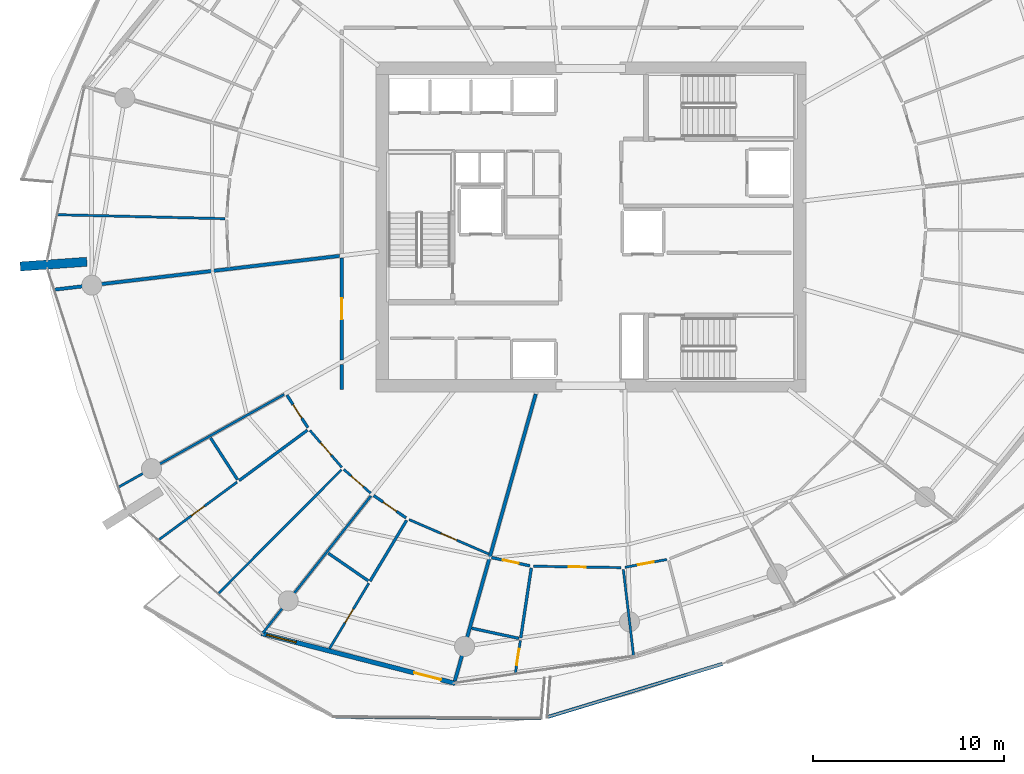
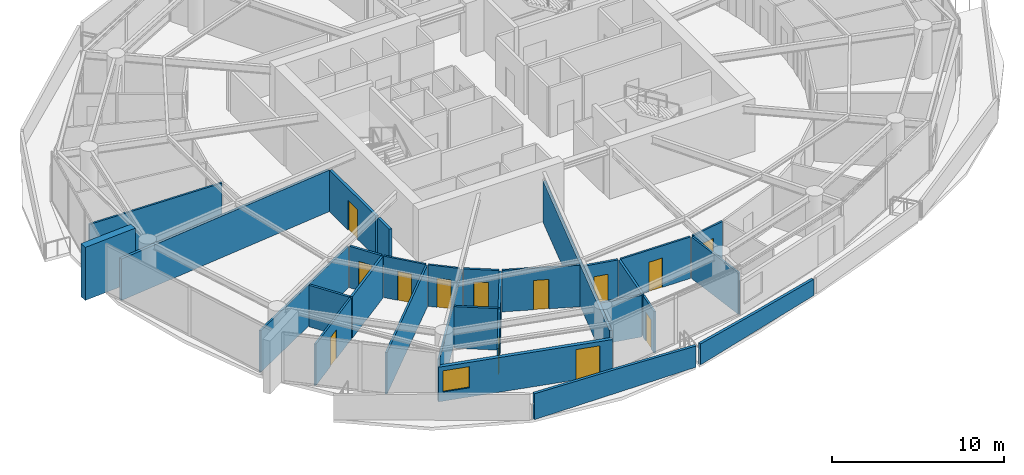
# One storey, part 11 of 21: 30 walls, 13 doors, 1 window, 14 openings.
"""IFC4 building model written with IfcOpenShell, lengths in metres."""

from ifc_helpers import new_model, si_unit, direction, frame, frame_2d, origin, place, context, subcontext, project, spatial, polyline, rectangle, outline, extrude, material, layer, layer_set, type_object, element, fill, save


model = new_model("IFC4")

# Units and contexts
model_context = context("Model", 3, precision=1e-05, world=origin(), true_north=direction((0.0, 1.0)))
body_context = subcontext(model_context, "Body", "Model", "MODEL_VIEW")
ifc_project = project(units=[si_unit("LENGTHUNIT", "METRE"), si_unit("AREAUNIT", "SQUARE_METRE"), si_unit("VOLUMEUNIT", "CUBIC_METRE"), si_unit("PLANEANGLEUNIT", "RADIAN"), si_unit("MASSUNIT", "GRAM", prefix="KILO")], contexts=[model_context])

# Site, building, storey
site_placement = place(None, origin())
site = spatial("IfcSite", under=ifc_project, at=site_placement, CompositionType="ELEMENT")
building_placement = place(site_placement, origin())
building = spatial("IfcBuilding", under=site, at=building_placement, Name="Kazma Halo Residences", CompositionType="ELEMENT")
storey_placement = place(building_placement, frame((0.0, 0.0, 180.300048828125)))
storey = spatial("IfcBuildingStorey", under=building, at=storey_placement, Name="L45", CompositionType="ELEMENT", Elevation=180.300048828125)

# Walls
ifc_material_1 = material(Name="White Concrete C50/60 Balustrade", Category="concrete")
ifc_layer_1 = layer(ifc_material_1, 0.179931640625)
ifc_layer_set_1 = layer_set([ifc_layer_1], Name="White Concrete C50/60 Balustrade")
wall_type_1 = type_object("IfcWallType", Name="WL-BAL-WAVE-180", PredefinedType="PARAPET", material=ifc_layer_set_1)
wall_1_placement = place(storey_placement, frame((35.03564453125, 16.319580078125, 0.0), z_axis=(0.0, 0.0, 1.0), x_axis=(0.999967670182, -0.008041056536, 0.0)))
element("IfcWall", 1, at=wall_1_placement, inside=storey, type_object=wall_type_1, Name="L45 white wave balustrade wall SW.2", PredefinedType="PARAPET", context=body_context, shape_type="SweptSolid", body=[
    extrude(outline(polyline([(0.0, 0.0), (10.7783203125, 0.0), (10.7783203125, 1.4970703125), (5.38916015625, 1.696044921875), (0.0, 1.83203125), (0.0, 0.0)])), frame((0.0, 0.08984375, 0.0), z_axis=(0.0, -1.0, 0.0), x_axis=(1.0, 0.0, 0.0)), (0.0, 0.0, 1.0), 0.179931640625),
])
wall_2_placement = place(storey_placement, frame((46.135009765625, 16.29833984375, 0.0), z_axis=(0.0, 0.0, 1.0), x_axis=(0.956822857871, 0.290671668135, 0.0)))
element("IfcWall", 2, at=wall_2_placement, inside=storey, type_object=wall_type_1, Name="L45 white wave balustrade wall SSE.1", PredefinedType="PARAPET", context=body_context, shape_type="SweptSolid", body=[
    extrude(outline(polyline([(0.0, 0.0), (9.59765625, 0.0), (9.59765625, 1.14794921875), (4.798828125, 1.283935546875), (0.0, 1.48291015625), (0.0, 0.0)])), frame((0.0, 0.08984375, 0.0), z_axis=(0.0, -1.0, 0.0), x_axis=(1.0, 0.0, 0.0)), (0.0, 0.0, 1.0), 0.179931640625),
])
ifc_material_2 = material(Name="Pale Concrete C60/75", Category="concrete")
ifc_layer_2 = layer(ifc_material_2, 0.47998046875)
ifc_layer_set_2 = layer_set([ifc_layer_2], Name="Pale Concrete C60/75")
wall_type_2 = type_object("IfcWallType", Name="WL-BLADE-480", PredefinedType="SOLIDWALL", material=ifc_layer_set_2)
wall_3_placement = place(storey_placement, frame((21.9873046875, 40.180908203125, 0.0), z_axis=(0.0, 0.0, 1.0), x_axis=(-0.997568676264, -0.069690287244, 0.0)))
element("IfcWall", 3, at=wall_3_placement, inside=storey, type_object=wall_type_2, Name="L45 pale concrete structural blade fin wall BW-02", PredefinedType="SOLIDWALL", context=body_context, shape_type="SweptSolid", body=[
    extrude(rectangle(XDim=3.499755859375, YDim=0.47998046875, at=frame_2d((1.75, 0.0))), origin(), (0.0, 0.0, 1.0), 3.75),
])
ifc_material_3 = material(Name="Acoustic Twin-Stud Gypsum")
ifc_layer_3 = layer(ifc_material_3, 0.179931640625)
ifc_layer_set_3 = layer_set([ifc_layer_3], Name="Acoustic Twin-Stud Gypsum")
wall_type_3 = type_object("IfcWallType", Name="WL-DEM-180", PredefinedType="PARTITIONING", material=ifc_layer_set_3)
wall_4_placement = place(storey_placement, frame((35.24072265625, 40.489990234375, 0.0), z_axis=(0.0, 0.0, 1.0), x_axis=(-0.993066731786, -0.117551972417, 0.0)))
element("IfcWall", 4, at=wall_4_placement, inside=storey, type_object=wall_type_3, Name="L45 apartment demising radial wall 07", PredefinedType="PARTITIONING", context=body_context, shape_type="SweptSolid", body=[
    extrude(rectangle(XDim=15.046875, YDim=0.179931640625, at=frame_2d((7.5234375, 0.0))), origin(), (0.0, 0.0, 1.0), 2.93994140625),
])
wall_5_placement = place(storey_placement, frame((45.530517578125, 33.244140625, 0.0), z_axis=(0.0, 0.0, 1.0), x_axis=(-0.271437162306, -0.962456163635, 0.0)))
element("IfcWall", 5, at=wall_5_placement, inside=storey, type_object=wall_type_3, Name="L45 apartment demising radial wall 10", PredefinedType="PARTITIONING", context=body_context, shape_type="SweptSolid", body=[
    extrude(rectangle(XDim=15.629638671875, YDim=0.179931640625, at=frame_2d((7.81494140625, 0.0))), origin(), (0.0, 0.0, 1.0), 2.93994140625),
])

# Wall, opening, door
wall_6_placement = place(storey_placement, frame((35.35009765625, 40.3828125, 0.0), z_axis=(0.0, 0.0, 1.0), x_axis=(0.0, -1.0, 0.0)))
wall_6 = element("IfcWall", 6, at=wall_6_placement, inside=storey, type_object=wall_type_3, Name="L45 Apartment 3 entrance corridor wall", PredefinedType="PARTITIONING", context=body_context, shape_type="SweptSolid", body=[
    extrude(rectangle(XDim=5.34716796875, YDim=0.179931640625, at=frame_2d((2.673583984375, 0.0))), origin(), (0.0, 0.0, 1.0), 2.93994140625),
])
opening_1_placement = place(wall_6_placement, frame((2.12353515625, 0.0, 0.0)))
opening_1 = element("IfcOpeningElement", 7, at=opening_1_placement, cuts=wall_6, Name="Opening DA-1100", PredefinedType="OPENING", context=body_context, shape_type="SweptSolid", body=[
    extrude(rectangle(XDim=1.10009765625, YDim=2.10009765625, at=frame_2d((0.550048828125, 1.050048828125))), frame((0.0, 0.099853515625, 0.0), z_axis=(0.0, -1.0, 0.0), x_axis=(1.0, 0.0, 0.0)), (0.0, 0.0, 1.0), 0.199951171875),
])
ifc_material_4 = material(Name="Acoustic Walnut Fire Leaf")
door_type_1 = type_object("IfcDoorType", Name="DR-FD60-1100", OperationType="NOTDEFINED", PredefinedType="DOOR", material=ifc_material_4)
door_1_placement = place(opening_1_placement, origin())
door_1 = element("IfcDoor", 8, at=door_1_placement, inside=storey, type_object=door_type_1, Name="L45 Apartment 3 entrance fire door", OperationType="SINGLE_SWING_LEFT", OverallHeight=2.10009765625, OverallWidth=1.10009765625, PredefinedType="DOOR", context=body_context, shape_type="SweptSolid", body=[
    extrude(rectangle(XDim=1.10009765625, YDim=2.10009765625, at=frame_2d((0.550048828125, 1.050048828125))), frame((0.0, 0.02490234375, 0.0), z_axis=(0.0, -1.0, 0.0), x_axis=(1.0, 0.0, 0.0)), (0.0, 0.0, 1.0), 0.050048828125),
])
fill(opening_1, door_1)

# Wall
wall_7_placement = place(storey_placement, frame((35.35009765625, 34.795654296875, 0.0), z_axis=(0.0, 0.0, 1.0), x_axis=(0.0, -1.0, 0.0)))
element("IfcWall", 9, at=wall_7_placement, inside=storey, type_object=wall_type_3, Name="L45 Apartment 3 inner wall 8", PredefinedType="PARTITIONING", context=body_context, shape_type="SweptSolid", body=[
    extrude(rectangle(XDim=1.32568359375, YDim=0.179931640625, at=frame_2d((0.662841796875, 0.0))), origin(), (0.0, 0.0, 1.0), 2.93994140625),
])

# Wall, openings, door, window
ifc_material_5 = material(Name="Insulated Pale-Metal Composite Wall")
ifc_layer_4 = layer(ifc_material_5, 0.239990234375)
ifc_layer_set_4 = layer_set([ifc_layer_4], Name="Insulated Pale-Metal Composite Wall")
wall_type_4 = type_object("IfcWallType", Name="WL-EXT-HOST-240", PredefinedType="SOLIDWALL", material=ifc_layer_set_4)
wall_8_placement = place(storey_placement, frame((31.139892578125, 20.68701171875, 0.0), z_axis=(0.0, 0.0, 1.0), x_axis=(0.968374028006, -0.249502989727, 0.0)))
wall_8 = element("IfcWall", 10, at=wall_8_placement, inside=storey, type_object=wall_type_4, Name="L45 exterior terrace-access wall B10", PredefinedType="SOLIDWALL", context=body_context, shape_type="SweptSolid", body=[
    extrude(rectangle(XDim=10.494384765625, YDim=0.239990234375, at=frame_2d((5.2470703125, 0.0))), origin(), (0.0, 0.0, 1.0), 2.449951171875),
])
opening_2_placement = place(wall_8_placement, frame((8.2744140625, 0.0, 0.0)))
opening_2 = element("IfcOpeningElement", 11, at=opening_2_placement, cuts=wall_8, Name="Opening DTR-1600", PredefinedType="OPENING", context=body_context, shape_type="SweptSolid", body=[
    extrude(rectangle(XDim=1.449951171875, YDim=2.14990234375, at=frame_2d((0.72509765625, 1.074951171875))), frame((0.0, 0.1298828125, 0.0), z_axis=(0.0, -1.0, 0.0), x_axis=(1.0, 0.0, 0.0)), (0.0, 0.0, 1.0), 0.260009765625),
])
opening_3_placement = place(wall_8_placement, frame((0.280029296875, 0.0, 0.64990234375)))
opening_3 = element("IfcOpeningElement", 12, at=opening_3_placement, cuts=wall_8, Name="Opening W-1800", PredefinedType="OPENING", context=body_context, shape_type="SweptSolid", body=[
    extrude(rectangle(XDim=1.60009765625, YDim=1.5, at=frame_2d((0.800048828125, 0.75))), frame((0.0, 0.1298828125, 0.0), z_axis=(0.0, -1.0, 0.0), x_axis=(1.0, 0.0, 0.0)), (0.0, 0.0, 1.0), 0.260009765625),
])
ifc_material_6 = material(Name="Aluminium AW-6063 T6 Double-Glazed Terrace Door", Category="aluminium")
door_type_2 = type_object("IfcDoorType", Name="DR-EXT-TERR-1600", OperationType="NOTDEFINED", PredefinedType="DOOR", material=ifc_material_6)
door_2_placement = place(opening_2_placement, origin())
door_2 = element("IfcDoor", 13, at=door_2_placement, inside=storey, type_object=door_type_2, Name="L45 B10 balcony terrace door", OperationType="DOUBLE_DOOR_SLIDING", OverallHeight=2.14990234375, OverallWidth=1.449951171875, PredefinedType="DOOR", context=body_context, shape_type="SweptSolid", body=[
    extrude(rectangle(XDim=1.449951171875, YDim=2.14990234375, at=frame_2d((0.72509765625, 1.074951171875))), frame((0.0, 0.02490234375, 0.0), z_axis=(0.0, -1.0, 0.0), x_axis=(1.0, 0.0, 0.0)), (0.0, 0.0, 1.0), 0.050048828125),
])
fill(opening_2, door_2)
ifc_material_7 = material(Name="Clear Triple-Silver Low-E Glass in Aluminium AW-6063 T6 Frame", Category="aluminium")
window_type = type_object("IfcWindowType", Name="WIN-RES-1800", PartitioningType="DOUBLE_PANEL_VERTICAL", PredefinedType="WINDOW", material=ifc_material_7)
window_placement = place(opening_3_placement, origin())
window = element("IfcWindow", 14, at=window_placement, inside=storey, type_object=window_type, Name="L45 B10 apartment window", OverallHeight=1.5, OverallWidth=1.60009765625, PartitioningType="SINGLE_PANEL", PredefinedType="WINDOW", context=body_context, shape_type="SweptSolid", body=[
    extrude(rectangle(XDim=1.60009765625, YDim=1.5, at=frame_2d((0.800048828125, 0.75))), frame((0.0, 0.030029296875, 0.0), z_axis=(0.0, -1.0, 0.0), x_axis=(1.0, 0.0, 0.0)), (0.0, 0.0, 1.0), 0.06005859375),
])
fill(opening_3, window)

# Walls
ifc_material_8 = material(Name="Gypsum Plasterboard Partition")
ifc_layer_5 = layer(ifc_material_8, 0.125)
ifc_layer_set_5 = layer_set([ifc_layer_5], Name="Gypsum Plasterboard Partition")
wall_type_5 = type_object("IfcWallType", Name="WL-PART-125", PredefinedType="PARTITIONING", material=ifc_layer_set_5)
wall_9_placement = place(storey_placement, frame((29.22119140625, 42.4423828125, 0.0), z_axis=(0.0, 0.0, 1.0), x_axis=(-0.99972167958, 0.0235915955, 0.0)))
element("IfcWall", 15, at=wall_9_placement, inside=storey, type_object=wall_type_5, Name="L45 Apartment 2 bay wall 2 6", PredefinedType="PARTITIONING", context=body_context, shape_type="SweptSolid", body=[
    extrude(rectangle(XDim=8.775634765625, YDim=0.125, at=frame_2d((4.3876953125, 0.0))), origin(), (0.0, 0.0, 1.0), 2.93994140625),
])
wall_10_placement = place(storey_placement, frame((32.33447265625, 33.226806640625, 0.0), z_axis=(0.0, 0.0, 1.0), x_axis=(-0.872500152392, -0.488613839424, 0.0)))
element("IfcWall", 16, at=wall_10_placement, inside=storey, type_object=wall_type_5, Name="L45 Apartment 3 radial partition 8", PredefinedType="PARTITIONING", context=body_context, shape_type="SweptSolid", body=[
    extrude(rectangle(XDim=9.940185546875, YDim=0.125, at=frame_2d((4.97021484375, 0.0))), origin(), (0.0, 0.0, 1.0), 2.93994140625),
])

# Wall, opening, door
wall_11_placement = place(storey_placement, frame((29.86279296875, 28.625732421875, 0.0), z_axis=(0.0, 0.0, 1.0), x_axis=(-0.804842237675, -0.593488814094, 0.0)))
wall_11 = element("IfcWall", 17, at=wall_11_placement, inside=storey, type_object=wall_type_5, Name="L45 Apartment 3 Utility Laundry Room partition wall", PredefinedType="PARTITIONING", context=body_context, shape_type="SweptSolid", body=[
    extrude(rectangle(XDim=5.114990234375, YDim=0.125, at=frame_2d((2.5576171875, 0.0))), origin(), (0.0, 0.0, 1.0), 2.93994140625),
])
opening_4_placement = place(wall_11_placement, frame((2.132568359375, 0.0, 0.0)))
opening_4 = element("IfcOpeningElement", 18, at=opening_4_placement, cuts=wall_11, Name="Opening DB-900", PredefinedType="OPENING", context=body_context, shape_type="SweptSolid", body=[
    extrude(rectangle(XDim=0.85009765625, YDim=2.06005859375, at=frame_2d((0.425048828125, 1.030029296875))), frame((0.0, 0.072509765625, 0.0), z_axis=(0.0, -1.0, 0.0), x_axis=(1.0, 0.0, 0.0)), (0.0, 0.0, 1.0), 0.14501953125),
])
ifc_material_9 = material(Name="Moisture-Sealed Timber Leaf", Category="wood")
door_type_3 = type_object("IfcDoorType", Name="DR-BTH-900", OperationType="NOTDEFINED", PredefinedType="DOOR", material=ifc_material_9)
door_3_placement = place(opening_4_placement, origin())
door_3 = element("IfcDoor", 19, at=door_3_placement, inside=storey, type_object=door_type_3, Name="L45 Apartment 3 Utility Laundry Room door", OperationType="SINGLE_SWING_LEFT", OverallHeight=2.06005859375, OverallWidth=0.85009765625, PredefinedType="DOOR", context=body_context, shape_type="SweptSolid", body=[
    extrude(rectangle(XDim=0.85009765625, YDim=2.06005859375, at=frame_2d((0.425048828125, 1.030029296875))), frame((0.0, 0.02490234375, 0.0), z_axis=(0.0, -1.0, 0.0), x_axis=(1.0, 0.0, 0.0)), (0.0, 0.0, 1.0), 0.050048828125),
])
fill(opening_4, door_3)

# Wall
wall_12_placement = place(storey_placement, frame((35.344482421875, 29.27734375, 0.0), z_axis=(0.0, 0.0, 1.0), x_axis=(-0.705226489462, -0.708982086206, 0.0)))
element("IfcWall", 20, at=wall_12_placement, inside=storey, type_object=wall_type_5, Name="L45 Apartment 3 suite divider 8", PredefinedType="PARTITIONING", context=body_context, shape_type="SweptSolid", body=[
    extrude(rectangle(XDim=9.166015625, YDim=0.125, at=frame_2d((4.5830078125, 0.0))), origin(), (0.0, 0.0, 1.0), 2.93994140625),
])

# Wall, opening, door
wall_13_placement = place(storey_placement, frame((33.688232421875, 31.335205078125, 0.0), z_axis=(0.0, 0.0, 1.0), x_axis=(0.653119308398, -0.757255022431, 0.0)))
wall_13 = element("IfcWall", 21, at=wall_13_placement, inside=storey, type_object=wall_type_5, Name="L45 Apartment 3 Gourmet Kitchen hall wall", PredefinedType="PARTITIONING", context=body_context, shape_type="SweptSolid", body=[
    extrude(rectangle(XDim=2.55322265625, YDim=0.125, at=frame_2d((1.276611328125, 0.0))), origin(), (0.0, 0.0, 1.0), 2.93994140625),
])
opening_5_placement = place(wall_13_placement, frame((0.8515625, 0.0, 0.0)))
opening_5 = element("IfcOpeningElement", 22, at=opening_5_placement, cuts=wall_13, Name="Opening DB-900", PredefinedType="OPENING", context=body_context, shape_type="SweptSolid", body=[
    extrude(rectangle(XDim=0.85009765625, YDim=2.06005859375, at=frame_2d((0.425048828125, 1.030029296875))), frame((0.0, 0.072509765625, 0.0), z_axis=(0.0, -1.0, 0.0), x_axis=(1.0, 0.0, 0.0)), (0.0, 0.0, 1.0), 0.14501953125),
])
door_4_placement = place(opening_5_placement, origin())
door_4 = element("IfcDoor", 23, at=door_4_placement, inside=storey, type_object=door_type_3, Name="L45 Apartment 3 Gourmet Kitchen door", OperationType="SINGLE_SWING_RIGHT", OverallHeight=2.06005859375, OverallWidth=0.85009765625, PredefinedType="DOOR", context=body_context, shape_type="SweptSolid", body=[
    extrude(rectangle(XDim=0.85009765625, YDim=2.06005859375, at=frame_2d((0.425048828125, 1.030029296875))), frame((0.0, 0.02490234375, 0.0), z_axis=(0.0, -1.0, 0.0), x_axis=(1.0, 0.0, 0.0)), (0.0, 0.0, 1.0), 0.050048828125),
])
fill(opening_5, door_4)

wall_14_placement = place(storey_placement, frame((35.468017578125, 29.2880859375, 0.0), z_axis=(0.0, 0.0, 1.0), x_axis=(0.748399816021, -0.663247853656, 0.0)))
wall_14 = element("IfcWall", 24, at=wall_14_placement, inside=storey, type_object=wall_type_5, Name="L45 Apartment 3 Primary Bedroom hall wall", PredefinedType="PARTITIONING", context=body_context, shape_type="SweptSolid", body=[
    extrude(rectangle(XDim=1.875, YDim=0.125, at=frame_2d((0.9375, 0.0))), origin(), (0.0, 0.0, 1.0), 2.93994140625),
])
opening_6_placement = place(wall_14_placement, frame((0.512451171875, 0.0, 0.0)))
opening_6 = element("IfcOpeningElement", 25, at=opening_6_placement, cuts=wall_14, Name="Opening DB-900", PredefinedType="OPENING", context=body_context, shape_type="SweptSolid", body=[
    extrude(rectangle(XDim=0.85009765625, YDim=2.06005859375, at=frame_2d((0.425048828125, 1.030029296875))), frame((0.0, 0.072509765625, 0.0), z_axis=(0.0, -1.0, 0.0), x_axis=(1.0, 0.0, 0.0)), (0.0, 0.0, 1.0), 0.14501953125),
])
door_5_placement = place(opening_6_placement, origin())
door_5 = element("IfcDoor", 26, at=door_5_placement, inside=storey, type_object=door_type_3, Name="L45 Apartment 3 Primary Bedroom door", OperationType="SINGLE_SWING_LEFT", OverallHeight=2.06005859375, OverallWidth=0.85009765625, PredefinedType="DOOR", context=body_context, shape_type="SweptSolid", body=[
    extrude(rectangle(XDim=0.85009765625, YDim=2.06005859375, at=frame_2d((0.425048828125, 1.030029296875))), frame((0.0, 0.02490234375, 0.0), z_axis=(0.0, -1.0, 0.0), x_axis=(1.0, 0.0, 0.0)), (0.0, 0.0, 1.0), 0.050048828125),
])
fill(opening_6, door_5)

# Wall
wall_15_placement = place(storey_placement, frame((36.88427734375, 27.899658203125, 0.0), z_axis=(0.0, 0.0, 1.0), x_axis=(-0.619094580594, -0.785316433216, 0.0)))
element("IfcWall", 27, at=wall_15_placement, inside=storey, type_object=wall_type_5, Name="L45 Apartment 3 radial partition 9", PredefinedType="PARTITIONING", context=body_context, shape_type="SweptSolid", body=[
    extrude(rectangle(XDim=9.17529296875, YDim=0.125, at=frame_2d((4.587646484375, 0.0))), origin(), (0.0, 0.0, 1.0), 2.93994140625),
])

# Wall, opening, door
wall_16_placement = place(storey_placement, frame((36.773193359375, 23.319091796875, 0.0), z_axis=(0.0, 0.0, 1.0), x_axis=(-0.515150775859, -0.857099573056, 0.0)))
wall_16 = element("IfcWall", 28, at=wall_16_placement, inside=storey, type_object=wall_type_5, Name="L45 Apartment 3 Secondary Walk-In Wardrobe partition wall", PredefinedType="PARTITIONING", context=body_context, shape_type="SweptSolid", body=[
    extrude(rectangle(XDim=4.000244140625, YDim=0.125, at=frame_2d((2.0, 0.0))), origin(), (0.0, 0.0, 1.0), 2.93994140625),
])
opening_7_placement = place(wall_16_placement, frame((1.5751953125, 0.0, 0.0)))
opening_7 = element("IfcOpeningElement", 29, at=opening_7_placement, cuts=wall_16, Name="Opening DB-900", PredefinedType="OPENING", context=body_context, shape_type="SweptSolid", body=[
    extrude(rectangle(XDim=0.85009765625, YDim=2.06005859375, at=frame_2d((0.425048828125, 1.030029296875))), frame((0.0, 0.072509765625, 0.0), z_axis=(0.0, -1.0, 0.0), x_axis=(1.0, 0.0, 0.0)), (0.0, 0.0, 1.0), 0.14501953125),
])
door_6_placement = place(opening_7_placement, origin())
door_6 = element("IfcDoor", 30, at=door_6_placement, inside=storey, type_object=door_type_3, Name="L45 Apartment 3 Secondary Walk-In Wardrobe door", OperationType="SINGLE_SWING_RIGHT", OverallHeight=2.06005859375, OverallWidth=0.85009765625, PredefinedType="DOOR", context=body_context, shape_type="SweptSolid", body=[
    extrude(rectangle(XDim=0.85009765625, YDim=2.06005859375, at=frame_2d((0.425048828125, 1.030029296875))), frame((0.0, 0.02490234375, 0.0), z_axis=(0.0, -1.0, 0.0), x_axis=(1.0, 0.0, 0.0)), (0.0, 0.0, 1.0), 0.050048828125),
])
fill(opening_7, door_6)

wall_17_placement = place(storey_placement, frame((38.88525390625, 26.660400390625, 0.0), z_axis=(0.0, 0.0, 1.0), x_axis=(0.91789982616, -0.396812183705, 0.0)))
wall_17 = element("IfcWall", 31, at=wall_17_placement, inside=storey, type_object=wall_type_5, Name="L45 Apartment 3 East Master Bedroom hall wall", PredefinedType="PARTITIONING", context=body_context, shape_type="SweptSolid", body=[
    extrude(rectangle(XDim=4.5498046875, YDim=0.125, at=frame_2d((2.27490234375, 0.0))), origin(), (0.0, 0.0, 1.0), 2.93994140625),
])
opening_8_placement = place(wall_17_placement, frame((1.824951171875, 0.0, 0.0)))
opening_8 = element("IfcOpeningElement", 32, at=opening_8_placement, cuts=wall_17, Name="Opening DI-950", PredefinedType="OPENING", context=body_context, shape_type="SweptSolid", body=[
    extrude(rectangle(XDim=0.89990234375, YDim=2.080078125, at=frame_2d((0.449951171875, 1.0400390625))), frame((0.0, 0.072509765625, 0.0), z_axis=(0.0, -1.0, 0.0), x_axis=(1.0, 0.0, 0.0)), (0.0, 0.0, 1.0), 0.14501953125),
])
ifc_material_10 = material(Name="Timber Veneer Flush Leaf", Category="wood")
door_type_4 = type_object("IfcDoorType", Name="DR-INT-950", OperationType="NOTDEFINED", PredefinedType="DOOR", material=ifc_material_10)
door_7_placement = place(opening_8_placement, origin())
door_7 = element("IfcDoor", 33, at=door_7_placement, inside=storey, type_object=door_type_4, Name="L45 Apartment 3 East Master Bedroom door", OperationType="SINGLE_SWING_LEFT", OverallHeight=2.080078125, OverallWidth=0.89990234375, PredefinedType="DOOR", context=body_context, shape_type="SweptSolid", body=[
    extrude(rectangle(XDim=0.89990234375, YDim=2.080078125, at=frame_2d((0.449951171875, 1.0400390625))), frame((0.0, 0.02490234375, 0.0), z_axis=(0.0, -1.0, 0.0), x_axis=(1.0, 0.0, 0.0)), (0.0, 0.0, 1.0), 0.050048828125),
])
fill(opening_8, door_7)

wall_18_placement = place(storey_placement, frame((44.722900390625, 20.319091796875, 0.0), z_axis=(0.0, 0.0, 1.0), x_axis=(-0.14945844671, -0.988768007526, 0.0)))
wall_18 = element("IfcWall", 34, at=wall_18_placement, inside=storey, type_object=wall_type_5, Name="L45 Apartment 4 Household Store Room partition wall", PredefinedType="PARTITIONING", context=body_context, shape_type="SweptSolid", body=[
    extrude(rectangle(XDim=1.751220703125, YDim=0.125, at=frame_2d((0.87548828125, 0.0))), origin(), (0.0, 0.0, 1.0), 2.93994140625),
])
opening_9_placement = place(wall_18_placement, frame((0.45068359375, 0.0, 0.0)))
opening_9 = element("IfcOpeningElement", 35, at=opening_9_placement, cuts=wall_18, Name="Opening DB-900", PredefinedType="OPENING", context=body_context, shape_type="SweptSolid", body=[
    extrude(rectangle(XDim=0.85009765625, YDim=2.06005859375, at=frame_2d((0.425048828125, 1.030029296875))), frame((0.0, 0.072509765625, 0.0), z_axis=(0.0, -1.0, 0.0), x_axis=(1.0, 0.0, 0.0)), (0.0, 0.0, 1.0), 0.14501953125),
])
door_8_placement = place(opening_9_placement, origin())
door_8 = element("IfcDoor", 36, at=door_8_placement, inside=storey, type_object=door_type_3, Name="L45 Apartment 4 Household Store Room door", OperationType="SINGLE_SWING_LEFT", OverallHeight=2.06005859375, OverallWidth=0.85009765625, PredefinedType="DOOR", context=body_context, shape_type="SweptSolid", body=[
    extrude(rectangle(XDim=0.85009765625, YDim=2.06005859375, at=frame_2d((0.425048828125, 1.030029296875))), frame((0.0, 0.02490234375, 0.0), z_axis=(0.0, -1.0, 0.0), x_axis=(1.0, 0.0, 0.0)), (0.0, 0.0, 1.0), 0.050048828125),
])
fill(opening_9, door_8)

wall_19_placement = place(storey_placement, frame((45.40185546875, 24.213623046875, 0.0), z_axis=(0.0, 0.0, 1.0), x_axis=(0.999870557478, -0.016089384368, 0.0)))
wall_19 = element("IfcWall", 37, at=wall_19_placement, inside=storey, type_object=wall_type_5, Name="L45 Apartment 4 Gourmet Kitchen hall wall", PredefinedType="PARTITIONING", context=body_context, shape_type="SweptSolid", body=[
    extrude(rectangle(XDim=4.61279296875, YDim=0.125, at=frame_2d((2.306396484375, 0.0))), origin(), (0.0, 0.0, 1.0), 2.93994140625),
])
opening_10_placement = place(wall_19_placement, frame((1.8564453125, 0.0, 0.0)))
opening_10 = element("IfcOpeningElement", 38, at=opening_10_placement, cuts=wall_19, Name="Opening DI-950", PredefinedType="OPENING", context=body_context, shape_type="SweptSolid", body=[
    extrude(rectangle(XDim=0.89990234375, YDim=2.080078125, at=frame_2d((0.449951171875, 1.0400390625))), frame((0.0, 0.072509765625, 0.0), z_axis=(0.0, -1.0, 0.0), x_axis=(1.0, 0.0, 0.0)), (0.0, 0.0, 1.0), 0.14501953125),
])
door_9_placement = place(opening_10_placement, origin())
door_9 = element("IfcDoor", 39, at=door_9_placement, inside=storey, type_object=door_type_4, Name="L45 Apartment 4 Gourmet Kitchen door", OperationType="SINGLE_SWING_RIGHT", OverallHeight=2.080078125, OverallWidth=0.89990234375, PredefinedType="DOOR", context=body_context, shape_type="SweptSolid", body=[
    extrude(rectangle(XDim=0.89990234375, YDim=2.080078125, at=frame_2d((0.449951171875, 1.0400390625))), frame((0.0, 0.02490234375, 0.0), z_axis=(0.0, -1.0, 0.0), x_axis=(1.0, 0.0, 0.0)), (0.0, 0.0, 1.0), 0.050048828125),
])
fill(opening_10, door_9)

# Wall
wall_20_placement = place(storey_placement, frame((50.1259765625, 24.038330078125, 0.0), z_axis=(0.0, 0.0, 1.0), x_axis=(0.117498349672, -0.993073077787, 0.0)))
element("IfcWall", 40, at=wall_20_placement, inside=storey, type_object=wall_type_5, Name="L45 Apartment 4 radial partition 11", PredefinedType="PARTITIONING", context=body_context, shape_type="SweptSolid", body=[
    extrude(rectangle(XDim=4.54833984375, YDim=0.125, at=frame_2d((2.274169921875, 0.0))), origin(), (0.0, 0.0, 1.0), 2.93994140625),
])

# Wall, opening, door
wall_21_placement = place(storey_placement, frame((50.21240234375, 24.156005859375, 0.0), z_axis=(0.0, 0.0, 1.0), x_axis=(0.982938932549, 0.183932201855, 0.0)))
wall_21 = element("IfcWall", 41, at=wall_21_placement, inside=storey, type_object=wall_type_5, Name="L45 Apartment 4 Primary Bedroom hall wall", PredefinedType="PARTITIONING", context=body_context, shape_type="SweptSolid", body=[
    extrude(rectangle(XDim=2.23388671875, YDim=0.125, at=frame_2d((1.116943359375, 0.0))), origin(), (0.0, 0.0, 1.0), 2.93994140625),
])
opening_11_placement = place(wall_21_placement, frame((0.69189453125, 0.0, 0.0)))
opening_11 = element("IfcOpeningElement", 42, at=opening_11_placement, cuts=wall_21, Name="Opening DB-900", PredefinedType="OPENING", context=body_context, shape_type="SweptSolid", body=[
    extrude(rectangle(XDim=0.85009765625, YDim=2.06005859375, at=frame_2d((0.425048828125, 1.030029296875))), frame((0.0, 0.072509765625, 0.0), z_axis=(0.0, -1.0, 0.0), x_axis=(1.0, 0.0, 0.0)), (0.0, 0.0, 1.0), 0.14501953125),
])
door_10_placement = place(opening_11_placement, origin())
door_10 = element("IfcDoor", 43, at=door_10_placement, inside=storey, type_object=door_type_3, Name="L45 Apartment 4 Primary Bedroom door", OperationType="SINGLE_SWING_LEFT", OverallHeight=2.06005859375, OverallWidth=0.85009765625, PredefinedType="DOOR", context=body_context, shape_type="SweptSolid", body=[
    extrude(rectangle(XDim=0.85009765625, YDim=2.06005859375, at=frame_2d((0.425048828125, 1.030029296875))), frame((0.0, 0.02490234375, 0.0), z_axis=(0.0, -1.0, 0.0), x_axis=(1.0, 0.0, 0.0)), (0.0, 0.0, 1.0), 0.050048828125),
])
fill(opening_11, door_10)

ifc_material_11 = material(Name="Moisture-Resistant Gypsum")
ifc_layer_6 = layer(ifc_material_11, 0.14990234375)
ifc_layer_set_6 = layer_set([ifc_layer_6], Name="Moisture-Resistant Gypsum")
wall_type_6 = type_object("IfcWallType", Name="WL-WET-150", PredefinedType="PARTITIONING", material=ifc_layer_set_6)
wall_22_placement = place(storey_placement, frame((32.475830078125, 33.191650390625, 0.0), z_axis=(0.0, 0.0, 1.0), x_axis=(0.542143239932, -0.840286086637, 0.0)))
wall_22 = element("IfcWall", 44, at=wall_22_placement, inside=storey, type_object=wall_type_6, Name="L45 Apartment 3 Guest Bathroom hall wall", PredefinedType="PARTITIONING", context=body_context, shape_type="SweptSolid", body=[
    extrude(rectangle(XDim=2.0380859375, YDim=0.14990234375, at=frame_2d((1.01904296875, 0.0))), origin(), (0.0, 0.0, 1.0), 2.93994140625),
])
opening_12_placement = place(wall_22_placement, frame((0.593994140625, 0.0, 0.0)))
opening_12 = element("IfcOpeningElement", 45, at=opening_12_placement, cuts=wall_22, Name="Opening DB-900", PredefinedType="OPENING", context=body_context, shape_type="SweptSolid", body=[
    extrude(rectangle(XDim=0.85009765625, YDim=2.06005859375, at=frame_2d((0.425048828125, 1.030029296875))), frame((0.0, 0.0849609375, 0.0), z_axis=(0.0, -1.0, 0.0), x_axis=(1.0, 0.0, 0.0)), (0.0, 0.0, 1.0), 0.169921875),
])
door_11_placement = place(opening_12_placement, origin())
door_11 = element("IfcDoor", 46, at=door_11_placement, inside=storey, type_object=door_type_3, Name="L45 Apartment 3 Guest Bathroom door", OperationType="SINGLE_SWING_RIGHT", OverallHeight=2.06005859375, OverallWidth=0.85009765625, PredefinedType="DOOR", context=body_context, shape_type="SweptSolid", body=[
    extrude(rectangle(XDim=0.85009765625, YDim=2.06005859375, at=frame_2d((0.425048828125, 1.030029296875))), frame((0.0, 0.02490234375, 0.0), z_axis=(0.0, -1.0, 0.0), x_axis=(1.0, 0.0, 0.0)), (0.0, 0.0, 1.0), 0.050048828125),
])
fill(opening_12, door_11)

# Walls
wall_23_placement = place(storey_placement, frame((28.470947265625, 30.948974609375, 0.0), z_axis=(0.0, 0.0, 1.0), x_axis=(0.542080018781, -0.840326872853, 0.0)))
element("IfcWall", 47, at=wall_23_placement, inside=storey, type_object=wall_type_6, Name="L45 Apartment 3 Guest Bathroom back wall", PredefinedType="PARTITIONING", context=body_context, shape_type="SweptSolid", body=[
    extrude(rectangle(XDim=2.611328125, YDim=0.14990234375, at=frame_2d((1.3056640625, 0.0))), origin(), (0.0, 0.0, 1.0), 2.93994140625),
])
wall_24_placement = place(storey_placement, frame((33.55712890625, 31.349853515625, 0.0), z_axis=(0.0, 0.0, 1.0), x_axis=(-0.804841149106, -0.593490290322, 0.0)))
element("IfcWall", 48, at=wall_24_placement, inside=storey, type_object=wall_type_6, Name="L45 Apartment 3 Guest Bathroom side wall", PredefinedType="PARTITIONING", context=body_context, shape_type="SweptSolid", body=[
    extrude(rectangle(XDim=4.4599609375, YDim=0.14990234375, at=frame_2d((2.22998046875, 0.0))), origin(), (0.0, 0.0, 1.0), 2.93994140625),
])

# Wall, opening, door
wall_25_placement = place(storey_placement, frame((37.0283203125, 27.92138671875, 0.0), z_axis=(0.0, 0.0, 1.0), x_axis=(0.82286796048, -0.56823262808, 0.0)))
wall_25 = element("IfcWall", 49, at=wall_25_placement, inside=storey, type_object=wall_type_6, Name="L45 Apartment 3 Primary En-Suite Bathroom hall wall", PredefinedType="PARTITIONING", context=body_context, shape_type="SweptSolid", body=[
    extrude(rectangle(XDim=2.066162109375, YDim=0.14990234375, at=frame_2d((1.033203125, 0.0))), origin(), (0.0, 0.0, 1.0), 2.93994140625),
])
opening_13_placement = place(wall_25_placement, frame((0.608154296875, 0.0, 0.0)))
opening_13 = element("IfcOpeningElement", 50, at=opening_13_placement, cuts=wall_25, Name="Opening DB-900", PredefinedType="OPENING", context=body_context, shape_type="SweptSolid", body=[
    extrude(rectangle(XDim=0.85009765625, YDim=2.06005859375, at=frame_2d((0.425048828125, 1.030029296875))), frame((0.0, 0.0849609375, 0.0), z_axis=(0.0, -1.0, 0.0), x_axis=(1.0, 0.0, 0.0)), (0.0, 0.0, 1.0), 0.169921875),
])
door_12_placement = place(opening_13_placement, origin())
door_12 = element("IfcDoor", 51, at=door_12_placement, inside=storey, type_object=door_type_3, Name="L45 Apartment 3 Primary En-Suite Bathroom door", OperationType="SINGLE_SWING_LEFT", OverallHeight=2.06005859375, OverallWidth=0.85009765625, PredefinedType="DOOR", context=body_context, shape_type="SweptSolid", body=[
    extrude(rectangle(XDim=0.85009765625, YDim=2.06005859375, at=frame_2d((0.425048828125, 1.030029296875))), frame((0.0, 0.02490234375, 0.0), z_axis=(0.0, -1.0, 0.0), x_axis=(1.0, 0.0, 0.0)), (0.0, 0.0, 1.0), 0.050048828125),
])
fill(opening_13, door_12)

# Walls
wall_26_placement = place(storey_placement, frame((34.64501953125, 24.89794921875, 0.0), z_axis=(0.0, 0.0, 1.0), x_axis=(0.822814907258, -0.568309447743, 0.0)))
element("IfcWall", 52, at=wall_26_placement, inside=storey, type_object=wall_type_6, Name="L45 Apartment 3 Primary En-Suite Bathroom back wall", PredefinedType="PARTITIONING", context=body_context, shape_type="SweptSolid", body=[
    extrude(rectangle(XDim=2.552734375, YDim=0.14990234375, at=frame_2d((1.2763671875, 0.0))), origin(), (0.0, 0.0, 1.0), 2.93994140625),
])
wall_27_placement = place(storey_placement, frame((38.75634765625, 26.618896484375, 0.0), z_axis=(0.0, 0.0, 1.0), x_axis=(-0.515122954907, -0.857116293934, 0.0)))
element("IfcWall", 53, at=wall_27_placement, inside=storey, type_object=wall_type_6, Name="L45 Apartment 3 Primary En-Suite Bathroom side wall", PredefinedType="PARTITIONING", context=body_context, shape_type="SweptSolid", body=[
    extrude(rectangle(XDim=3.719970703125, YDim=0.14990234375, at=frame_2d((1.85986328125, 0.0))), origin(), (0.0, 0.0, 1.0), 2.93994140625),
])

# Wall, opening, door
wall_28_placement = place(storey_placement, frame((43.21533203125, 24.667236328125, 0.0), z_axis=(0.0, 0.0, 1.0), x_axis=(0.977507597701, -0.210900204925, 0.0)))
wall_28 = element("IfcWall", 54, at=wall_28_placement, inside=storey, type_object=wall_type_6, Name="L45 Apartment 4 Guest Bathroom hall wall", PredefinedType="PARTITIONING", context=body_context, shape_type="SweptSolid", body=[
    extrude(rectangle(XDim=2.0546875, YDim=0.14990234375, at=frame_2d((1.02734375, 0.0))), origin(), (0.0, 0.0, 1.0), 2.93994140625),
])
opening_14_placement = place(wall_28_placement, frame((0.602294921875, 0.0, 0.0)))
opening_14 = element("IfcOpeningElement", 55, at=opening_14_placement, cuts=wall_28, Name="Opening DB-900", PredefinedType="OPENING", context=body_context, shape_type="SweptSolid", body=[
    extrude(rectangle(XDim=0.85009765625, YDim=2.06005859375, at=frame_2d((0.425048828125, 1.030029296875))), frame((0.0, 0.0849609375, 0.0), z_axis=(0.0, -1.0, 0.0), x_axis=(1.0, 0.0, 0.0)), (0.0, 0.0, 1.0), 0.169921875),
])
door_13_placement = place(opening_14_placement, origin())
door_13 = element("IfcDoor", 56, at=door_13_placement, inside=storey, type_object=door_type_3, Name="L45 Apartment 4 Guest Bathroom door", OperationType="SINGLE_SWING_RIGHT", OverallHeight=2.06005859375, OverallWidth=0.85009765625, PredefinedType="DOOR", context=body_context, shape_type="SweptSolid", body=[
    extrude(rectangle(XDim=0.85009765625, YDim=2.06005859375, at=frame_2d((0.425048828125, 1.030029296875))), frame((0.0, 0.02490234375, 0.0), z_axis=(0.0, -1.0, 0.0), x_axis=(1.0, 0.0, 0.0)), (0.0, 0.0, 1.0), 0.050048828125),
])
fill(opening_14, door_13)

# Walls
wall_29_placement = place(storey_placement, frame((42.17041015625, 20.9619140625, 0.0), z_axis=(0.0, 0.0, 1.0), x_axis=(0.977505473959, -0.210910048076, 0.0)))
element("IfcWall", 57, at=wall_29_placement, inside=storey, type_object=wall_type_6, Name="L45 Apartment 4 Guest Bathroom back wall", PredefinedType="PARTITIONING", context=body_context, shape_type="SweptSolid", body=[
    extrude(rectangle(XDim=2.53515625, YDim=0.14990234375, at=frame_2d((1.267578125, 0.0))), origin(), (0.0, 0.0, 1.0), 2.93994140625),
])
wall_30_placement = place(storey_placement, frame((45.29833984375, 24.1259765625, 0.0), z_axis=(0.0, 0.0, 1.0), x_axis=(-0.149437927454, -0.988771108922, 0.0)))
element("IfcWall", 58, at=wall_30_placement, inside=storey, type_object=wall_type_6, Name="L45 Apartment 4 Guest Bathroom side wall", PredefinedType="PARTITIONING", context=body_context, shape_type="SweptSolid", body=[
    extrude(rectangle(XDim=3.719970703125, YDim=0.14990234375, at=frame_2d((1.85986328125, 0.0))), origin(), (0.0, 0.0, 1.0), 2.93994140625),
])

save(model, "model.ifc")
